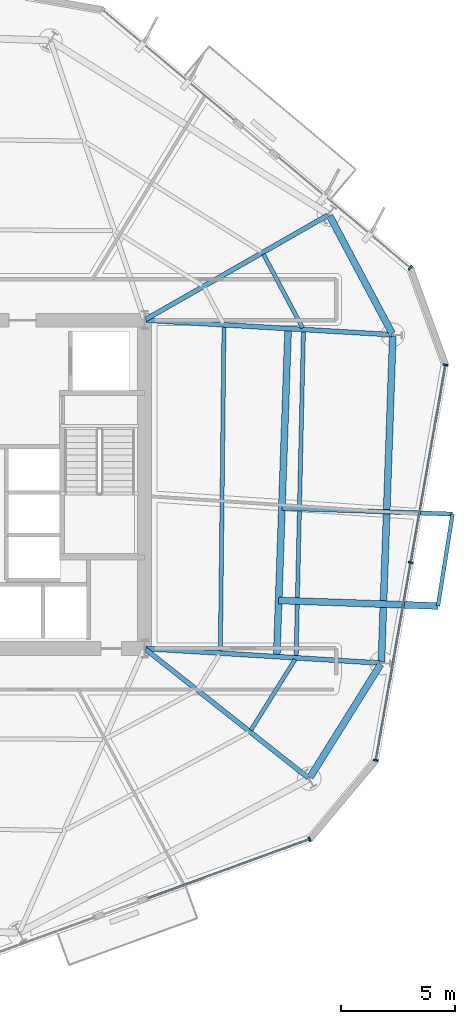
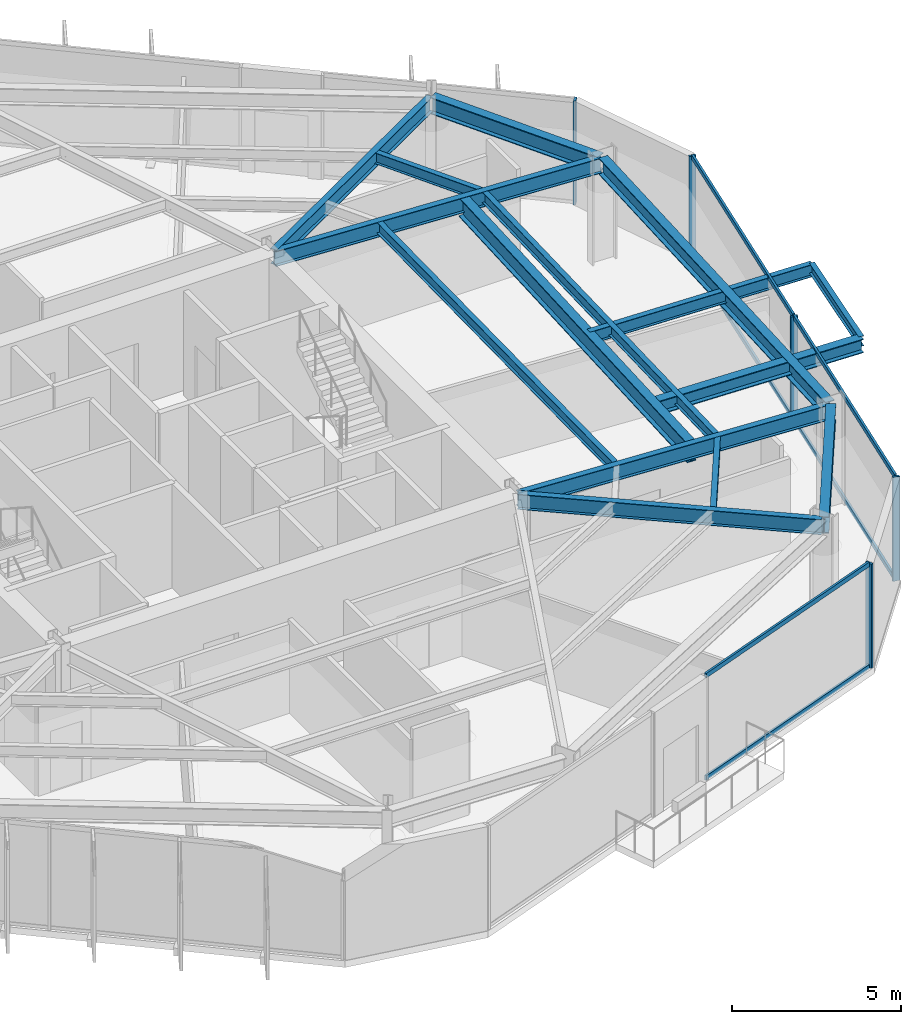
# One storey, part 4 of 13: 15 beams, 11 members, 3 elements without a shape of their own.
"""IFC4 building model written with IfcOpenShell, lengths in metres."""

from ifc_helpers import new_model, si_unit, direction, frame, origin, origin_2d, place, context, subcontext, project, spatial, rectangle, i_section, extrude, material, layer, layer_set, material_profile, profile_set, type_object, element, aggregate, save


model = new_model("IFC4")

# Units and contexts
model_context = context("Model", 3, precision=1e-05, world=origin(), true_north=direction((0.0, 1.0)))
body_context = subcontext(model_context, "Body", "Model", "MODEL_VIEW")
ifc_project = project(units=[si_unit("LENGTHUNIT", "METRE"), si_unit("AREAUNIT", "SQUARE_METRE"), si_unit("VOLUMEUNIT", "CUBIC_METRE"), si_unit("PLANEANGLEUNIT", "RADIAN"), si_unit("MASSUNIT", "GRAM", prefix="KILO")], contexts=[model_context])

# Site, building, storey
site_placement = place(None, origin())
site = spatial("IfcSite", under=ifc_project, at=site_placement, CompositionType="ELEMENT")
building_placement = place(site_placement, origin())
building = spatial("IfcBuilding", under=site, at=building_placement, Name="Kranzbogen Civic Tower", CompositionType="ELEMENT")
storey_placement = place(building_placement, frame((0.0, 0.0, 102.39990234375)))
storey = spatial("IfcBuildingStorey", under=building, at=storey_placement, Name="L24", CompositionType="ELEMENT", Elevation=102.39990234375)

# Beam
ifc_material_1 = material(Name="Steel S355", Category="steel")
ifc_material_profile_1 = material_profile(ifc_material_1, i_section(OverallWidth=0.18994140625, OverallDepth=0.449951171875, WebThickness=0.009521484375, FlangeThickness=0.0146484375, at=origin_2d()), Name="IPE 450")
ifc_profile_set_1 = profile_set([ifc_material_profile_1], Name="Steel S355")
beam_type_1 = type_object("IfcBeamType", Name="Braced Terrace Edge Beam IPE 450", PredefinedType="BEAM", material=ifc_profile_set_1)
beam_1_placement = place(storey_placement, frame((38.822998046875, 23.952880859375, 3.525146484375), z_axis=(0.999388136225, -0.03497646597, 0.0), x_axis=(0.03497646597, 0.999388136225, 0.0)))
element("IfcBeam", 1, at=beam_1_placement, inside=storey, type_object=beam_type_1, Name="L25 back-spanned terrace beam L25-TB1-2", PredefinedType="BEAM", context=body_context, shape_type="SweptSolid", body=[
    extrude(i_section(OverallWidth=0.18994140625, OverallDepth=0.449951171875, WebThickness=0.009521484375, FlangeThickness=0.0146484375, at=origin_2d()), origin(), (0.0, 0.0, 1.0), 7.48974609375),
])

# Curtain wall, member
ifc_material_2 = material(Name="Pale Anodised Aluminium", Category="aluminium")
ifc_layer = layer(ifc_material_2, 0.219970703125, Name="Pale Anodised Aluminium")
ifc_layer_set = layer_set([ifc_layer], Name="Pale Anodised Aluminium")
curtain_wall_type = type_object("IfcCurtainWallType", Name="Zone 2 Stick Curtain Wall System CW-03", PredefinedType="USERDEFINED", material=ifc_layer_set)
curtain_wall_1_placement = place(storey_placement, origin())
curtain_wall_1 = element("IfcCurtainWall", 2, at=curtain_wall_1_placement, inside=storey, type_object=curtain_wall_type, Name="L24 curtain wall CW-L24-F1-S1", ObjectType="STICK CURTAIN WALL", PredefinedType="USERDEFINED")
ifc_material_profile_2 = material_profile(ifc_material_2, rectangle(XDim=0.074951171875, YDim=0.219970703125, at=origin_2d()), Name="ALU-M 75x220")
ifc_profile_set_2 = profile_set([ifc_material_profile_2], Name="Pale Anodised Aluminium")
member_type_1 = type_object("IfcMemberType", Name="Curtain Wall Mullion ALU-M 75x220", PredefinedType="MULLION", material=ifc_profile_set_2)
member_1_placement = place(storey_placement, frame((44.4541015625, 34.4873046875, 0.0), z_axis=(0.0, 0.0, 1.0), x_axis=(-0.76610208204, 0.64271891204, 0.0)))
member_1 = element("IfcMember", 3, at=member_1_placement, type_object=member_type_1, Name="CW-03 mullion 1", PredefinedType="MULLION", context=body_context, shape_type="SweptSolid", body=[
    extrude(rectangle(XDim=0.074951171875, YDim=0.219970703125, at=origin_2d()), origin(), (0.0, 0.0, 1.0), 3.760009765625),
])
aggregate(curtain_wall_1, [member_1])

curtain_wall_2_placement = place(storey_placement, origin())
curtain_wall_2 = element("IfcCurtainWall", 4, at=curtain_wall_2_placement, inside=storey, type_object=curtain_wall_type, Name="L24 curtain wall CW-L24-F5-S2", ObjectType="STICK CURTAIN WALL", PredefinedType="USERDEFINED")
member_2_placement = place(storey_placement, frame((40.035888671875, 9.431640625, 0.0), z_axis=(0.0, 0.0, 1.0), x_axis=(0.93969777606, 0.342005978993, 0.0)))
member_2 = element("IfcMember", 5, at=member_2_placement, type_object=member_type_1, Name="CW-03 mullion 2", PredefinedType="MULLION", context=body_context, shape_type="SweptSolid", body=[
    extrude(rectangle(XDim=0.074951171875, YDim=0.219970703125, at=origin_2d()), origin(), (0.0, 0.0, 1.0), 3.760009765625),
])

# Curtain wall, members
curtain_wall_3_placement = place(storey_placement, origin())
curtain_wall_3 = element("IfcCurtainWall", 6, at=curtain_wall_3_placement, inside=storey, type_object=curtain_wall_type, Name="L24 curtain wall CW-L24-F6", ObjectType="STICK CURTAIN WALL", PredefinedType="USERDEFINED")
member_3_placement = place(storey_placement, frame((42.943115234375, 12.8955078125, 0.0), z_axis=(0.0, 0.0, 1.0), x_axis=(0.173633588769, 0.984810325317, 0.0)))
member_3 = element("IfcMember", 7, at=member_3_placement, type_object=member_type_1, Name="CW-03 mullion 1", PredefinedType="MULLION", context=body_context, shape_type="SweptSolid", body=[
    extrude(rectangle(XDim=0.074951171875, YDim=0.219970703125, at=origin_2d()), origin(), (0.0, 0.0, 1.0), 3.760009765625),
])
member_4_placement = place(storey_placement, frame((44.471923828125, 21.56640625, 0.0), z_axis=(0.0, 0.0, 1.0), x_axis=(0.173633588769, 0.984810325317, 0.0)))
member_4 = element("IfcMember", 8, at=member_4_placement, type_object=member_type_1, Name="CW-03 mullion 2", PredefinedType="MULLION", context=body_context, shape_type="SweptSolid", body=[
    extrude(rectangle(XDim=0.074951171875, YDim=0.219970703125, at=origin_2d()), origin(), (0.0, 0.0, 1.0), 3.760009765625),
])
member_5_placement = place(storey_placement, frame((46.000732421875, 30.237548828125, 0.0), z_axis=(0.0, 0.0, 1.0), x_axis=(0.173633588769, 0.984810325317, 0.0)))
member_5 = element("IfcMember", 9, at=member_5_placement, type_object=member_type_1, Name="CW-03 mullion 3", PredefinedType="MULLION", context=body_context, shape_type="SweptSolid", body=[
    extrude(rectangle(XDim=0.074951171875, YDim=0.219970703125, at=origin_2d()), origin(), (0.0, 0.0, 1.0), 3.760009765625),
])

# Member
ifc_material_profile_3 = material_profile(ifc_material_2, rectangle(XDim=0.074951171875, YDim=0.1650390625, at=origin_2d()), Name="ALU-T 75x165")
ifc_profile_set_3 = profile_set([ifc_material_profile_3], Name="Pale Anodised Aluminium")
member_type_2 = type_object("IfcMemberType", Name="Curtain Wall Transom ALU-T 75x165", PredefinedType="USERDEFINED", material=ifc_profile_set_3)
member_6_placement = place(storey_placement, frame((32.9462890625, 6.8515625, 0.030029296875), z_axis=(0.939704222246, 0.341988266894, 0.0), x_axis=(-0.341988266894, 0.939704222246, 0.0)))
member_6 = element("IfcMember", 10, at=member_6_placement, type_object=member_type_2, Name="CW-03 transom 1.1", ObjectType="TRANSOM", PredefinedType="USERDEFINED", context=body_context, shape_type="SweptSolid", body=[
    extrude(rectangle(XDim=0.074951171875, YDim=0.1650390625, at=origin_2d()), origin(), (0.0, 0.0, 1.0), 7.514404296875),
])

member_7_placement = place(storey_placement, frame((32.9462890625, 6.8515625, 3.72998046875), z_axis=(0.939704222246, 0.341988266894, 0.0), x_axis=(-0.341988266894, 0.939704222246, 0.0)))
member_7 = element("IfcMember", 11, at=member_7_placement, type_object=member_type_2, Name="CW-03 transom 1.2", ObjectType="TRANSOM", PredefinedType="USERDEFINED", context=body_context, shape_type="SweptSolid", body=[
    extrude(rectangle(XDim=0.074951171875, YDim=0.1650390625, at=origin_2d()), origin(), (0.0, 0.0, 1.0), 7.514404296875),
])

aggregate(curtain_wall_2, [member_2, member_6, member_7])

member_8_placement = place(storey_placement, frame((42.948486328125, 12.925048828125, 0.030029296875), z_axis=(0.173627655463, 0.98481137141, 0.0), x_axis=(-0.98481137141, 0.173627655463, 0.0)))
member_8 = element("IfcMember", 12, at=member_8_placement, type_object=member_type_2, Name="CW-03 transom 1.1", ObjectType="TRANSOM", PredefinedType="USERDEFINED", context=body_context, shape_type="SweptSolid", body=[
    extrude(rectangle(XDim=0.074951171875, YDim=0.1650390625, at=origin_2d()), origin(), (0.0, 0.0, 1.0), 8.74462890625),
])

member_9_placement = place(storey_placement, frame((42.948486328125, 12.925048828125, 3.72998046875), z_axis=(0.173627655463, 0.98481137141, 0.0), x_axis=(-0.98481137141, 0.173627655463, 0.0)))
member_9 = element("IfcMember", 13, at=member_9_placement, type_object=member_type_2, Name="CW-03 transom 1.2", ObjectType="TRANSOM", PredefinedType="USERDEFINED", context=body_context, shape_type="SweptSolid", body=[
    extrude(rectangle(XDim=0.074951171875, YDim=0.1650390625, at=origin_2d()), origin(), (0.0, 0.0, 1.0), 8.74462890625),
])

member_10_placement = place(storey_placement, frame((44.477294921875, 21.595947265625, 0.030029296875), z_axis=(0.173622881725, 0.984812213034, 0.0), x_axis=(-0.984812213034, 0.173622881725, 0.0)))
member_10 = element("IfcMember", 14, at=member_10_placement, type_object=member_type_2, Name="CW-03 transom 2.1", ObjectType="TRANSOM", PredefinedType="USERDEFINED", context=body_context, shape_type="SweptSolid", body=[
    extrude(rectangle(XDim=0.074951171875, YDim=0.1650390625, at=origin_2d()), origin(), (0.0, 0.0, 1.0), 8.744873046875),
])

member_11_placement = place(storey_placement, frame((44.477294921875, 21.595947265625, 3.72998046875), z_axis=(0.173622881725, 0.984812213034, 0.0), x_axis=(-0.984812213034, 0.173622881725, 0.0)))
member_11 = element("IfcMember", 15, at=member_11_placement, type_object=member_type_2, Name="CW-03 transom 2.2", ObjectType="TRANSOM", PredefinedType="USERDEFINED", context=body_context, shape_type="SweptSolid", body=[
    extrude(rectangle(XDim=0.074951171875, YDim=0.1650390625, at=origin_2d()), origin(), (0.0, 0.0, 1.0), 8.744873046875),
])

aggregate(curtain_wall_3, [member_3, member_4, member_5, member_8, member_9, member_10, member_11])

# Beams
ifc_material_profile_4 = material_profile(ifc_material_1, i_section(OverallWidth=0.300048828125, OverallDepth=0.5, WebThickness=0.014404296875, FlangeThickness=0.028076171875, at=origin_2d()), Name="HEB 500")
ifc_profile_set_4 = profile_set([ifc_material_profile_4], Name="Steel S355")
beam_type_2 = type_object("IfcBeamType", Name="Perimeter Tube Spandrel Beam HEB 500", PredefinedType="SPANDREL", material=ifc_profile_set_4)
beam_2_placement = place(storey_placement, frame((38.681884765625, 19.905029296875, 3.5), z_axis=(0.999390092976, -0.034920510604, 0.0), x_axis=(0.034920510604, 0.999390092976, 0.0)))
element("IfcBeam", 16, at=beam_2_placement, inside=storey, type_object=beam_type_2, Name="L25 back-spanned terrace beam L25-TB1-1", PredefinedType="SPANDREL", context=body_context, shape_type="SweptSolid", body=[
    extrude(i_section(OverallWidth=0.300048828125, OverallDepth=0.5, WebThickness=0.014404296875, FlangeThickness=0.028076171875, at=origin_2d()), origin(), (0.0, 0.0, 1.0), 6.9912109375),
])
ifc_material_profile_5 = material_profile(ifc_material_1, i_section(OverallWidth=0.300048828125, OverallDepth=0.60009765625, WebThickness=0.015380859375, FlangeThickness=0.030029296875, at=origin_2d()), Name="HEB 600")
ifc_profile_set_5 = profile_set([ifc_material_profile_5], Name="Steel S355")
beam_type_3 = type_object("IfcBeamType", Name="Perimeter Tube Spandrel Beam HEB 600", PredefinedType="SPANDREL", material=ifc_profile_set_5)
beam_3_placement = place(storey_placement, frame((40.054931640625, 12.14306640625, 3.460205078125), z_axis=(0.529863902903, 0.848082687242, 0.0), x_axis=(-0.848082687242, 0.529863902903, 0.0)))
element("IfcBeam", 17, at=beam_3_placement, inside=storey, type_object=beam_type_3, Name="L24 perimeter spandrel beam 05", PredefinedType="SPANDREL", context=body_context, shape_type="SweptSolid", body=[
    extrude(i_section(OverallWidth=0.300048828125, OverallDepth=0.60009765625, WebThickness=0.015380859375, FlangeThickness=0.030029296875, at=origin_2d()), origin(), (0.0, 0.0, 1.0), 5.850830078125),
])
beam_4_placement = place(storey_placement, frame((43.18896484375, 17.216064453125, 3.460205078125), z_axis=(0.034924229103, 0.999389963038, 0.0), x_axis=(-0.999389963038, 0.034924229103, 0.0)))
element("IfcBeam", 18, at=beam_4_placement, inside=storey, type_object=beam_type_3, Name="L24 perimeter spandrel beam 06", PredefinedType="SPANDREL", context=body_context, shape_type="SweptSolid", body=[
    extrude(i_section(OverallWidth=0.300048828125, OverallDepth=0.60009765625, WebThickness=0.015380859375, FlangeThickness=0.030029296875, at=origin_2d()), origin(), (0.0, 0.0, 1.0), 14.288818359375),
])
beam_5_placement = place(storey_placement, frame((43.662109375, 31.60888671875, 3.460205078125), z_axis=(-0.469565926668, 0.882897412224, 0.0), x_axis=(-0.882897412224, -0.469565926668, 0.0)))
element("IfcBeam", 19, at=beam_5_placement, inside=storey, type_object=beam_type_3, Name="L24 perimeter spandrel beam 07", PredefinedType="SPANDREL", context=body_context, shape_type="SweptSolid", body=[
    extrude(i_section(OverallWidth=0.300048828125, OverallDepth=0.60009765625, WebThickness=0.015380859375, FlangeThickness=0.030029296875, at=origin_2d()), origin(), (0.0, 0.0, 1.0), 5.852294921875),
])
ifc_material_profile_6 = material_profile(ifc_material_1, i_section(OverallWidth=0.300048828125, OverallDepth=0.699951171875, WebThickness=0.01708984375, FlangeThickness=0.031982421875, at=origin_2d()), Name="HEB 700")
ifc_profile_set_6 = profile_set([ifc_material_profile_6], Name="Steel S355")
beam_type_4 = type_object("IfcBeamType", Name="Perimeter Tube Spandrel Beam HEB 700", PredefinedType="SPANDREL", material=ifc_profile_set_6)
beam_6_placement = place(storey_placement, frame((38.595947265625, 17.44091796875, 3.400146484375), z_axis=(0.034868227602, 0.99939191847, 0.0), x_axis=(-0.99939191847, 0.034868227602, 0.0)))
element("IfcBeam", 20, at=beam_6_placement, inside=storey, type_object=beam_type_4, Name="L25 balcony back-span header girder L25-TB1", PredefinedType="SPANDREL", context=body_context, shape_type="SweptSolid", body=[
    extrude(i_section(OverallWidth=0.300048828125, OverallDepth=0.699951171875, WebThickness=0.01708984375, FlangeThickness=0.031982421875, at=origin_2d()), origin(), (0.0, 0.0, 1.0), 14.395751953125),
])
ifc_material_profile_7 = material_profile(ifc_material_1, i_section(OverallWidth=0.2099609375, OverallDepth=0.550048828125, WebThickness=0.010986328125, FlangeThickness=0.01708984375, at=origin_2d()), Name="IPE 550")
ifc_profile_set_7 = profile_set([ifc_material_profile_7], Name="Steel S355")
beam_type_5 = type_object("IfcBeamType", Name="Radial Tower Floor Girder IPE 550", PredefinedType="BEAM", material=ifc_profile_set_7)
beam_7_placement = place(storey_placement, frame((39.97607421875, 12.12890625, 3.485107421875), z_axis=(-0.78457455683, 0.620034486763, 0.0), x_axis=(-0.620034486763, -0.78457455683, 0.0)))
element("IfcBeam", 21, at=beam_7_placement, inside=storey, type_object=beam_type_5, Name="L24 radial floor girder 05", PredefinedType="BEAM", context=body_context, shape_type="SweptSolid", body=[
    extrude(i_section(OverallWidth=0.2099609375, OverallDepth=0.550048828125, WebThickness=0.010986328125, FlangeThickness=0.01708984375, at=origin_2d()), origin(), (0.0, 0.0, 1.0), 9.086669921875),
])
beam_8_placement = place(storey_placement, frame((43.126953125, 17.159912109375, 3.485107421875), z_axis=(-0.998086872961, 0.061827130147, 0.0), x_axis=(-0.061827130147, -0.998086872961, 0.0)))
element("IfcBeam", 22, at=beam_8_placement, inside=storey, type_object=beam_type_5, Name="L24 radial floor girder 06", PredefinedType="BEAM", context=body_context, shape_type="SweptSolid", body=[
    extrude(i_section(OverallWidth=0.2099609375, OverallDepth=0.550048828125, WebThickness=0.010986328125, FlangeThickness=0.01708984375, at=origin_2d()), origin(), (0.0, 0.0, 1.0), 10.28662109375),
])
beam_9_placement = place(storey_placement, frame((43.6298828125, 31.56005859375, 3.485107421875), z_axis=(-0.998260925387, 0.058950189528, 0.0), x_axis=(-0.058950189528, -0.998260925387, 0.0)))
element("IfcBeam", 23, at=beam_9_placement, inside=storey, type_object=beam_type_5, Name="L24 radial floor girder 07", PredefinedType="BEAM", context=body_context, shape_type="SweptSolid", body=[
    extrude(i_section(OverallWidth=0.2099609375, OverallDepth=0.550048828125, WebThickness=0.010986328125, FlangeThickness=0.01708984375, at=origin_2d()), origin(), (0.0, 0.0, 1.0), 10.78857421875),
])
beam_10_placement = place(storey_placement, frame((40.833984375, 36.799072265625, 3.485107421875), z_axis=(-0.867868812182, -0.496793442833, 0.0), x_axis=(0.496793442833, -0.867868812182, 0.0)))
element("IfcBeam", 24, at=beam_10_placement, inside=storey, type_object=beam_type_5, Name="L24 radial floor girder 08", PredefinedType="BEAM", context=body_context, shape_type="SweptSolid", body=[
    extrude(i_section(OverallWidth=0.2099609375, OverallDepth=0.550048828125, WebThickness=0.010986328125, FlangeThickness=0.01708984375, at=origin_2d()), origin(), (0.0, 0.0, 1.0), 9.197265625),
])
ifc_material_profile_8 = material_profile(ifc_material_1, i_section(OverallWidth=0.169921875, OverallDepth=0.360107421875, WebThickness=0.008056640625, FlangeThickness=0.0126953125, at=origin_2d()), Name="IPE 360")
ifc_profile_set_8 = profile_set([ifc_material_profile_8], Name="Steel S355")
beam_type_6 = type_object("IfcBeamType", Name="Secondary Composite Floor Joist IPE 360", PredefinedType="JOIST", material=ifc_profile_set_8)
beam_11_placement = place(storey_placement, frame((45.6689453125, 19.660888671875, 3.570068359375), z_axis=(0.156641554946, 0.987655518521, 0.0), x_axis=(-0.987655518521, 0.156641554946, 0.0)))
element("IfcBeam", 25, at=beam_11_placement, inside=storey, type_object=beam_type_6, Name="L25 terrace outer edge trimmer L25-TB1", PredefinedType="JOIST", context=body_context, shape_type="SweptSolid", body=[
    extrude(i_section(OverallWidth=0.169921875, OverallDepth=0.360107421875, WebThickness=0.008056640625, FlangeThickness=0.0126953125, at=origin_2d()), origin(), (0.0, 0.0, 1.0), 4.080322265625),
])
ifc_material_profile_9 = material_profile(ifc_material_1, i_section(OverallWidth=0.179931640625, OverallDepth=0.39990234375, WebThickness=0.008544921875, FlangeThickness=0.013427734375, at=origin_2d()), Name="IPE 400")
ifc_profile_set_9 = profile_set([ifc_material_profile_9], Name="Steel S355")
beam_type_7 = type_object("IfcBeamType", Name="Secondary Composite Floor Joist IPE 400", PredefinedType="JOIST", material=ifc_profile_set_9)
beam_12_placement = place(storey_placement, frame((37.465087890625, 14.215087890625, 3.56005859375), z_axis=(0.529867065107, 0.848080711557, 0.0), x_axis=(-0.848080711557, 0.529867065107, 0.0)))
element("IfcBeam", 26, at=beam_12_placement, inside=storey, type_object=beam_type_7, Name="L24 secondary floor joist 1.05", PredefinedType="JOIST", context=body_context, shape_type="SweptSolid", body=[
    extrude(i_section(OverallWidth=0.179931640625, OverallDepth=0.39990234375, WebThickness=0.008544921875, FlangeThickness=0.013427734375, at=origin_2d()), origin(), (0.0, 0.0, 1.0), 3.6611328125),
])
beam_13_placement = place(storey_placement, frame((39.448974609375, 17.468017578125, 3.56005859375), z_axis=(0.022402523442, 0.999749031979, 0.0), x_axis=(-0.999749031979, 0.022402523442, 0.0)))
element("IfcBeam", 27, at=beam_13_placement, inside=storey, type_object=beam_type_7, Name="L24 secondary floor joist 1.06", PredefinedType="JOIST", context=body_context, shape_type="SweptSolid", body=[
    extrude(i_section(OverallWidth=0.179931640625, OverallDepth=0.39990234375, WebThickness=0.008544921875, FlangeThickness=0.013427734375, at=origin_2d()), origin(), (0.0, 0.0, 1.0), 14.24365234375),
])
beam_14_placement = place(storey_placement, frame((36.125, 17.674072265625, 3.56005859375), z_axis=(0.011160516663, 0.999937719494, 0.0), x_axis=(-0.999937719494, 0.011160516663, 0.0)))
element("IfcBeam", 28, at=beam_14_placement, inside=storey, type_object=beam_type_7, Name="L24 secondary floor joist 2.06", PredefinedType="JOIST", context=body_context, shape_type="SweptSolid", body=[
    extrude(i_section(OverallWidth=0.179931640625, OverallDepth=0.39990234375, WebThickness=0.008544921875, FlangeThickness=0.013427734375, at=origin_2d()), origin(), (0.0, 0.0, 1.0), 14.240966796875),
])
beam_15_placement = place(storey_placement, frame((39.73193359375, 31.85791015625, 3.56005859375), z_axis=(-0.469338791783, 0.88301817565, 0.0), x_axis=(-0.88301817565, -0.469338791783, 0.0)))
element("IfcBeam", 29, at=beam_15_placement, inside=storey, type_object=beam_type_7, Name="L24 secondary floor joist 1.07", PredefinedType="JOIST", context=body_context, shape_type="SweptSolid", body=[
    extrude(i_section(OverallWidth=0.179931640625, OverallDepth=0.39990234375, WebThickness=0.008544921875, FlangeThickness=0.013427734375, at=origin_2d()), origin(), (0.0, 0.0, 1.0), 3.66259765625),
])

save(model, "model.ifc")
